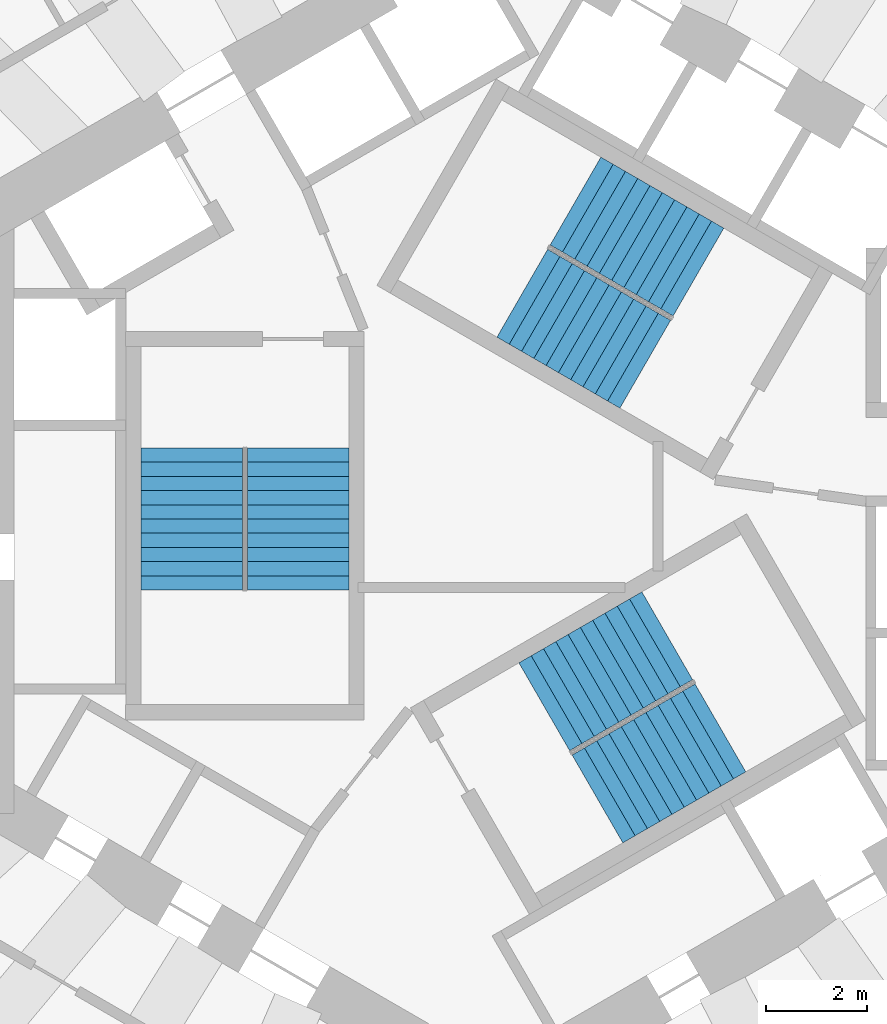
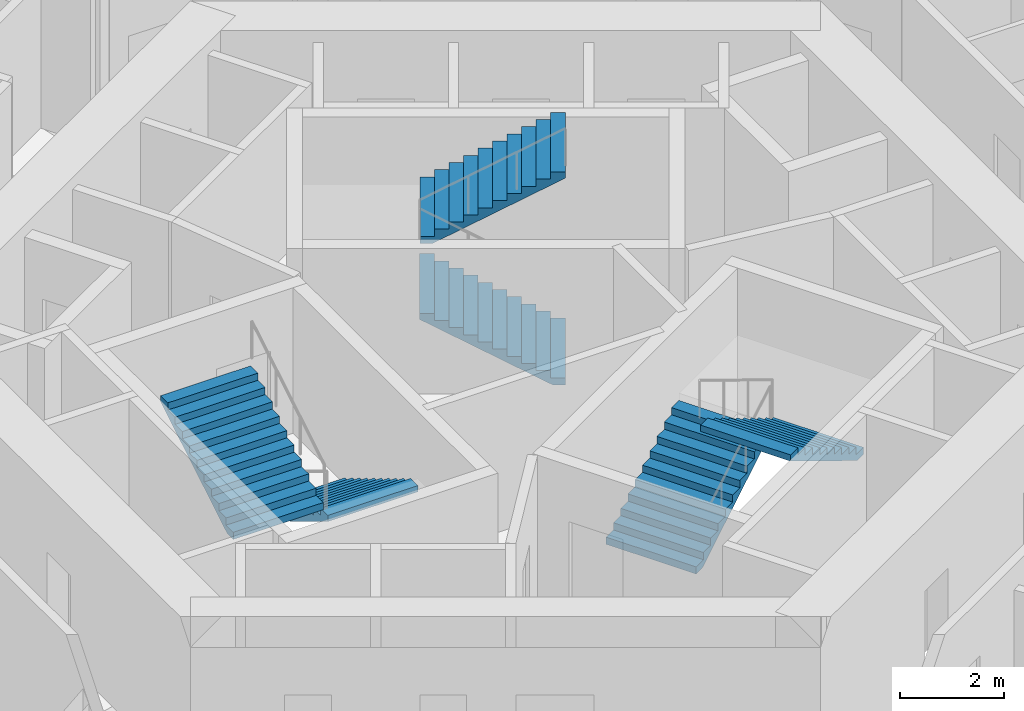
# One storey, part 10 of 12: 6 stair flights, 3 elements without a shape of their own.
"""IFC4 building model written with IfcOpenShell, lengths in metres."""

import ifcopenshell
import ifcopenshell.guid

model = None  # the IFC model being written
_history = None  # IfcOwnerHistory: only IFC2X3 demands one
_inside = {}  # id of a spatial element -> (the spatial element, [elements in it])
_under = {}  # id of a project, library or spatial element -> (it, [spatial elements below it])
_declared = {}  # id of a project -> (the project, [libraries it declares])
_typed = {}  # id of a type object -> (the type object, [elements of that type])
_made_of = {}  # id of a material, layer set ... -> (it, [elements and type objects made of it])


def new_model(schema):
    """Start an empty IFC model of exactly this schema.

    Asked for "IFC4X3", IfcOpenShell would pick the latest addendum, in which some entities
    have other attributes; the version numbers below select the first issue.
    IFC2X3 requires an IfcOwnerHistory on every rooted entity: one is made here for all.
    """
    global model, _history
    if schema == "IFC4X3":
        model = ifcopenshell.file(schema_version=(4, 3, 0, 0))
    else:
        model = ifcopenshell.file(schema=schema)
    _inside.clear()
    _under.clear()
    _declared.clear()
    _typed.clear()
    _made_of.clear()
    _history = None
    if model.schema == "IFC2X3":
        org = make("IfcOrganization", Name="unknown")
        user = make(
            "IfcPersonAndOrganization",
            ThePerson=make("IfcPerson", FamilyName="unknown"),
            TheOrganization=org,
        )
        app = make(
            "IfcApplication",
            ApplicationDeveloper=org,
            Version="unknown",
            ApplicationFullName="unknown",
            ApplicationIdentifier="unknown",
        )
        _history = make(
            "IfcOwnerHistory",
            OwningUser=user,
            OwningApplication=app,
            ChangeAction="ADDED",
            CreationDate=0,
        )
    return model


def make(cls, **values):
    """One entity of the class cls with the attributes given. An attribute that is None is left unset."""
    return model.create_entity(
        cls, **{name: value for name, value in values.items() if value is not None}
    )


def rooted(cls, **values):
    """An entity with a GlobalId (a new one), such as an element, a storey or a relation."""
    return make(cls, GlobalId=ifcopenshell.guid.new(), OwnerHistory=_history, **values)


def si_unit(unit_type, name, prefix=None):
    """IfcSIUnit, for example si_unit("LENGTHUNIT", "METRE", prefix="MILLI")."""
    return make("IfcSIUnit", UnitType=unit_type, Prefix=prefix, Name=name)


def assignment(units):
    """IfcUnitAssignment: the units of a project."""
    return None if units is None else make("IfcUnitAssignment", Units=units)


def point(xyz):
    """IfcCartesianPoint."""
    return None if xyz is None else make("IfcCartesianPoint", Coordinates=xyz)


def direction(xyz):
    """IfcDirection."""
    return None if xyz is None else make("IfcDirection", DirectionRatios=xyz)


def frame(location, z_axis=None, x_axis=None):
    """IfcAxis2Placement3D, a coordinate frame: its origin and axes. An axis left out is left unset."""
    return make(
        "IfcAxis2Placement3D",
        Location=point(location),
        Axis=direction(z_axis),
        RefDirection=direction(x_axis),
    )


def origin():
    """The frame at (0, 0, 0) with its axes left unset."""
    return frame((0.0, 0.0, 0.0))


def place(relative_to, where):
    """IfcLocalPlacement: puts the frame where relative to a parent placement (None: the world)."""
    return make(
        "IfcLocalPlacement", PlacementRelTo=relative_to, RelativePlacement=where
    )


def context(
    kind, dimensions, precision=None, world=None, true_north=None, identifier=None
):
    """IfcGeometricRepresentationContext, for example the 3D "Model" context."""
    return make(
        "IfcGeometricRepresentationContext",
        ContextIdentifier=identifier,
        ContextType=kind,
        CoordinateSpaceDimension=dimensions,
        Precision=precision,
        WorldCoordinateSystem=world,
        TrueNorth=true_north,
    )


def subcontext(parent, identifier, kind, view, scale=None):
    """IfcGeometricRepresentationSubContext, for example "Body" below "Model"."""
    return make(
        "IfcGeometricRepresentationSubContext",
        ContextIdentifier=identifier,
        ContextType=kind,
        ParentContext=parent,
        TargetScale=scale,
        TargetView=view,
    )


def project(units=None, contexts=None):
    """IfcProject with its units and contexts."""
    return rooted(
        "IfcProject",
        Name="project",
        RepresentationContexts=contexts,
        UnitsInContext=assignment(units),
    )


def spatial(cls, under=None, at=None, **own):
    """A site, building, storey or space (cls), placed at a placement, below another one or the project."""
    s = rooted(cls, ObjectPlacement=at, **own)
    if under is not None:
        _under.setdefault(under.id(), (under, []))[1].append(s)
    return s


def point_list(points):
    """IfcCartesianPointList2D or 3D."""
    cls = (
        "IfcCartesianPointList2D" if len(points[0]) == 2 else "IfcCartesianPointList3D"
    )
    return make(cls, CoordList=points)


def triangles(points, corners, closed=None, point_numbers=None):
    """IfcTriangulatedFaceSet: each triangle names its three corners, points numbered from 1."""
    return make(
        "IfcTriangulatedFaceSet",
        Coordinates=point_list(points),
        Closed=closed,
        CoordIndex=corners,
        PnIndex=point_numbers,
    )


def shape(context_of_items, identifier, shape_type, items):
    """IfcShapeRepresentation: the items that make up one representation, for example the "Body"."""
    return make(
        "IfcShapeRepresentation",
        ContextOfItems=context_of_items,
        RepresentationIdentifier=identifier,
        RepresentationType=shape_type,
        Items=items,
    )


def source(mapping_origin, context_of_items, identifier, shape_type, items):
    """IfcRepresentationMap: a shape defined once, which mapped items show again and again."""
    return make(
        "IfcRepresentationMap",
        MappingOrigin=mapping_origin,
        MappedRepresentation=shape(context_of_items, identifier, shape_type, items),
    )


def transform(
    local_origin,
    x_axis=None,
    y_axis=None,
    z_axis=None,
    scale=None,
    scale2=None,
    scale3=None,
    uniform=True,
):
    """IfcCartesianTransformationOperator3D, or its non-uniform kind. x_axis, y_axis, z_axis: its Axis1, 2, 3."""
    if uniform:
        return make(
            "IfcCartesianTransformationOperator3D",
            Axis1=direction(x_axis),
            Axis2=direction(y_axis),
            LocalOrigin=point(local_origin),
            Scale=scale,
            Axis3=direction(z_axis),
        )
    return make(
        "IfcCartesianTransformationOperator3DnonUniform",
        Axis1=direction(x_axis),
        Axis2=direction(y_axis),
        LocalOrigin=point(local_origin),
        Scale=scale,
        Axis3=direction(z_axis),
        Scale2=scale2,
        Scale3=scale3,
    )


def mapped(mapping_source, mapping_target):
    """IfcMappedItem: shows the shape of a source again, moved by a transform."""
    return make(
        "IfcMappedItem", MappingSource=mapping_source, MappingTarget=mapping_target
    )


def material(Name=None, Category=None):
    """IfcMaterial."""
    return make("IfcMaterial", Name=Name, Category=Category)


def made_of(thing, what):
    """Note that an element or type object is made of a material, layer set ...; save() writes the relation."""
    if what is not None:
        _made_of.setdefault(what.id(), (what, []))[1].append(thing)
    return thing


def type_object(cls, material=None, **own):
    """A type object (cls), such as IfcWallType, which elements share."""
    return made_of(rooted(cls, **own), material)


def element(
    cls,
    number,
    at=None,
    inside=None,
    cuts=None,
    type_object=None,
    material=None,
    context=None,
    identifier="Body",
    shape_type=None,
    held_by="IfcProductDefinitionShape",
    body=None,
    shapes=None,
    **own,
):
    """One element of the class cls, such as IfcWall. Its Tag is "e" and its number.

    at: its placement. inside: the storey or other place that contains it. cuts: it is an
    opening in that element (IfcRelVoidsElement). A single representation is given by context,
    identifier, shape_type and body (its items); several are given by shapes. held_by: the class
    of the entity that holds the representations. save() writes the other relations.
    """
    e = rooted(cls, Tag="e%d" % number, ObjectPlacement=at, **own)
    if body is not None:
        shapes = [shape(context, identifier, shape_type, body)]
    if shapes is not None:
        e.Representation = make(held_by, Representations=shapes)
    if inside is not None:
        _inside.setdefault(inside.id(), (inside, []))[1].append(e)
    if cuts is not None:
        rooted(
            "IfcRelVoidsElement", RelatingBuildingElement=cuts, RelatedOpeningElement=e
        )
    if type_object is not None:
        _typed.setdefault(type_object.id(), (type_object, []))[1].append(e)
    return made_of(e, material)


def aggregate(whole, parts):
    """IfcRelAggregates: a whole, such as a stair, and the parts it consists of."""
    return rooted("IfcRelAggregates", RelatingObject=whole, RelatedObjects=parts)


def save(model, path):
    """Write the relations noted so far, then the file.

    IfcRelAggregates (storeys below a building ...), IfcRelContainedInSpatialStructure (elements
    in a storey), IfcRelDefinesByType, IfcRelAssociatesMaterial and IfcRelDeclares: one each for
    every whole, place, type object, material and project.
    """
    for whole, parts in _under.values():
        aggregate(whole, parts)
    for where, things in _inside.values():
        rooted(
            "IfcRelContainedInSpatialStructure",
            RelatedElements=things,
            RelatingStructure=where,
        )
    for kind, things in _typed.values():
        rooted("IfcRelDefinesByType", RelatedObjects=things, RelatingType=kind)
    for what, things in _made_of.values():
        rooted("IfcRelAssociatesMaterial", RelatedObjects=things, RelatingMaterial=what)
    for by, libraries in _declared.values():
        rooted("IfcRelDeclares", RelatingContext=by, RelatedDefinitions=libraries)
    model.write(path)


model = new_model("IFC4")

# Units and contexts
model_context = context("Model", 3, precision=1e-05, world=origin(), true_north=direction((0.0, 1.0)))
body_context = subcontext(model_context, "Body", "Model", "MODEL_VIEW")
ifc_project = project(units=[si_unit("LENGTHUNIT", "METRE"), si_unit("AREAUNIT", "SQUARE_METRE"), si_unit("VOLUMEUNIT", "CUBIC_METRE"), si_unit("PLANEANGLEUNIT", "RADIAN"), si_unit("MASSUNIT", "GRAM", prefix="KILO")], contexts=[model_context])

# Site, building, storey
site_placement = place(None, origin())
site = spatial("IfcSite", under=ifc_project, at=site_placement, CompositionType="ELEMENT")
building_placement = place(site_placement, origin())
building = spatial("IfcBuilding", under=site, at=building_placement, Name="Vanh Sen Convention Tower", CompositionType="ELEMENT")
storey_placement = place(building_placement, frame((0.0, 0.0, 124.39990234375)))
storey = spatial("IfcBuildingStorey", under=building, at=storey_placement, Name="L30", CompositionType="ELEMENT", Elevation=124.39990234375)

# Stair, stair flights
ifc_material_1 = material(Name="Concrete C50/60", Category="concrete")
stair_type_1 = type_object("IfcStairType", Name="Exit stair ST1 22 risers at 168.2", PredefinedType="HALF_TURN_STAIR", material=ifc_material_1)
stair_1_placement = place(storey_placement, origin())
stair_1 = element("IfcStair", 1, at=stair_1_placement, inside=storey, type_object=stair_type_1, Name="Exit stair ST1 L30", PredefinedType="HALF_TURN_STAIR")
ifc_material_2 = material(Name="Concrete C40/50", Category="concrete")
stair_flight_type = type_object("IfcStairFlightType", Name="Stair flight 2000", PredefinedType="STRAIGHT", material=ifc_material_2)
shared_shape = source(origin(), body_context, "Body", "Tessellation", [
    triangles([(0.24267578125, 1.0, 0.0), (0.0, 1.0, 0.0), (0.0, 1.0, 0.168212890625), (0.280029296875, 1.0, 0.168212890625), (0.280029296875, 1.0, 0.33642578125), (0.56005859375, 1.0, 0.33642578125), (0.56005859375, 1.0, 0.504638671875), (0.840087890625, 1.0, 0.504638671875), (0.840087890625, 1.0, 0.672607421875), (1.1201171875, 1.0, 0.672607421875), (1.1201171875, 1.0, 0.8408203125), (1.39990234375, 1.0, 0.8408203125), (1.39990234375, 1.0, 1.009033203125), (1.679931640625, 1.0, 1.009033203125), (1.679931640625, 1.0, 1.17724609375), (1.9599609375, 1.0, 1.17724609375), (1.9599609375, 1.0, 1.345458984375), (2.239990234375, 1.0, 1.345458984375), (2.239990234375, 1.0, 1.513671875), (2.52001953125, 1.0, 1.513671875), (2.52001953125, 1.0, 1.681884765625), (2.800048828125, 1.0, 1.681884765625), (2.800048828125, 1.0, 1.535888671875), (0.24267578125, -1.0, 0.0), (0.0, -1.0, 0.0), (0.0, -1.0, 0.168212890625), (0.280029296875, -1.0, 0.168212890625), (0.280029296875, -1.0, 0.33642578125), (0.56005859375, -1.0, 0.33642578125), (0.56005859375, -1.0, 0.504638671875), (0.840087890625, -1.0, 0.504638671875), (0.840087890625, -1.0, 0.672607421875), (1.1201171875, -1.0, 0.672607421875), (1.1201171875, -1.0, 0.8408203125), (1.39990234375, -1.0, 0.8408203125), (1.39990234375, -1.0, 1.009033203125), (1.679931640625, -1.0, 1.009033203125), (1.679931640625, -1.0, 1.17724609375), (1.9599609375, -1.0, 1.17724609375), (1.9599609375, -1.0, 1.345458984375), (2.239990234375, -1.0, 1.345458984375), (2.239990234375, -1.0, 1.513671875), (2.52001953125, -1.0, 1.513671875), (2.52001953125, -1.0, 1.681884765625), (2.800048828125, -1.0, 1.681884765625), (2.800048828125, -1.0, 1.535888671875), (0.0, 0.0400390625, 0.0), (0.0, 0.0390625, 0.0), (0.0, 0.0380859375, 0.0), (0.0, 0.037109375, 0.0), (0.0, 0.035888671875, 0.0), (0.0, 0.034912109375, 0.0), (0.0, 0.033935546875, 0.0), (0.0, 0.032958984375, 0.0), (0.0, 0.031982421875, 0.0), (0.0, 0.031005859375, 0.0), (0.0, 0.030029296875, 0.0), (0.0, 0.029052734375, 0.0), (0.0, 0.028076171875, 0.0), (0.0, 0.027099609375, 0.0), (0.0, 0.02587890625, 0.0), (0.0, 0.02490234375, 0.0), (0.0, 0.02392578125, 0.0), (0.0, 0.02294921875, 0.0), (0.0, 0.02197265625, 0.0), (0.0, 0.02099609375, 0.0), (0.0, 0.02001953125, 0.0), (0.0, 0.01904296875, 0.0), (0.0, 0.01806640625, 0.0), (0.0, 0.01708984375, 0.0), (0.0, 0.01611328125, 0.0), (0.0, 0.014892578125, 0.0), (0.0, 0.013916015625, 0.0), (0.0, 0.012939453125, 0.0), (0.0, 0.011962890625, 0.0), (0.0, 0.010986328125, 0.0), (0.0, 0.010009765625, 0.0), (0.0, 0.009033203125, 0.0), (0.0, 0.008056640625, 0.0), (0.0, 0.007080078125, 0.0), (0.0, 0.006103515625, 0.0), (0.0, 0.0048828125, 0.0), (0.0, 0.00390625, 0.0), (0.0, 0.0029296875, 0.0), (0.0, 0.001953125, 0.0), (0.0, 0.0009765625, 0.0), (0.0, 0.0, 0.0), (0.0, -0.0009765625, 0.0), (0.0, -0.001953125, 0.0), (0.0, -0.0029296875, 0.0), (0.0, -0.00390625, 0.0), (0.0, -0.0048828125, 0.0), (0.0, -0.006103515625, 0.0), (0.0, -0.007080078125, 0.0), (0.0, -0.008056640625, 0.0), (0.0, -0.009033203125, 0.0), (0.0, -0.010009765625, 0.0), (0.0, -0.010986328125, 0.0), (0.0, -0.011962890625, 0.0), (0.0, -0.012939453125, 0.0), (0.0, -0.013916015625, 0.0), (0.0, -0.014892578125, 0.0), (0.0, -0.01611328125, 0.0), (0.0, -0.01708984375, 0.0), (0.0, -0.01806640625, 0.0), (0.0, -0.01904296875, 0.0), (0.0, -0.02001953125, 0.0), (0.0, -0.02099609375, 0.0), (0.0, -0.02197265625, 0.0), (0.0, -0.02294921875, 0.0), (0.0, -0.02392578125, 0.0), (0.0, -0.02490234375, 0.0), (0.0, -0.02587890625, 0.0), (0.0, -0.027099609375, 0.0), (0.0, -0.028076171875, 0.0), (0.0, -0.029052734375, 0.0), (0.0, -0.030029296875, 0.0), (0.0, -0.031005859375, 0.0), (0.0, -0.031982421875, 0.0), (0.0, -0.032958984375, 0.0), (0.0, -0.033935546875, 0.0), (0.0, -0.034912109375, 0.0), (0.0, -0.035888671875, 0.0), (0.0, -0.037109375, 0.0), (0.0, -0.0380859375, 0.0), (0.0, -0.0390625, 0.0), (0.0, -0.0400390625, 0.0), (0.0, 0.0400390625, 0.168212890625), (0.0, 0.0390625, 0.168212890625), (0.0, 0.0380859375, 0.168212890625), (0.0, 0.037109375, 0.168212890625), (0.0, 0.035888671875, 0.168212890625), (0.0, 0.034912109375, 0.168212890625), (0.0, 0.033935546875, 0.168212890625), (0.0, 0.032958984375, 0.168212890625), (0.0, 0.031982421875, 0.168212890625), (0.0, 0.031005859375, 0.168212890625), (0.0, 0.030029296875, 0.168212890625), (0.0, 0.029052734375, 0.168212890625), (0.0, 0.028076171875, 0.168212890625), (0.0, 0.027099609375, 0.168212890625), (0.0, 0.02587890625, 0.168212890625), (0.0, 0.02490234375, 0.168212890625), (0.0, 0.02392578125, 0.168212890625), (0.0, 0.02294921875, 0.168212890625), (0.0, 0.02197265625, 0.168212890625), (0.0, 0.02099609375, 0.168212890625), (0.0, 0.02001953125, 0.168212890625), (0.0, 0.01904296875, 0.168212890625), (0.0, 0.01806640625, 0.168212890625), (0.0, 0.01708984375, 0.168212890625), (0.0, 0.01611328125, 0.168212890625), (0.0, 0.014892578125, 0.168212890625), (0.0, 0.013916015625, 0.168212890625), (0.0, 0.012939453125, 0.168212890625), (0.0, 0.011962890625, 0.168212890625), (0.0, 0.010986328125, 0.168212890625), (0.0, 0.010009765625, 0.168212890625), (0.0, 0.009033203125, 0.168212890625), (0.0, 0.008056640625, 0.168212890625), (0.0, 0.007080078125, 0.168212890625), (0.0, 0.006103515625, 0.168212890625), (0.0, 0.0048828125, 0.168212890625), (0.0, 0.00390625, 0.168212890625), (0.0, 0.0029296875, 0.168212890625), (0.0, 0.001953125, 0.168212890625), (0.0, 0.0009765625, 0.168212890625), (0.0, 0.0, 0.168212890625), (0.0, -0.0009765625, 0.168212890625), (0.0, -0.001953125, 0.168212890625), (0.0, -0.0029296875, 0.168212890625), (0.0, -0.00390625, 0.168212890625), (0.0, -0.0048828125, 0.168212890625), (0.0, -0.006103515625, 0.168212890625), (0.0, -0.007080078125, 0.168212890625), (0.0, -0.008056640625, 0.168212890625), (0.0, -0.009033203125, 0.168212890625), (0.0, -0.010009765625, 0.168212890625), (0.0, -0.010986328125, 0.168212890625), (0.0, -0.011962890625, 0.168212890625), (0.0, -0.012939453125, 0.168212890625), (0.0, -0.013916015625, 0.168212890625), (0.0, -0.014892578125, 0.168212890625), (0.0, -0.01611328125, 0.168212890625), (0.0, -0.01708984375, 0.168212890625), (0.0, -0.01806640625, 0.168212890625), (0.0, -0.01904296875, 0.168212890625), (0.0, -0.02001953125, 0.168212890625), (0.0, -0.02099609375, 0.168212890625), (0.0, -0.02197265625, 0.168212890625), (0.0, -0.02294921875, 0.168212890625), (0.0, -0.02392578125, 0.168212890625), (0.0, -0.02490234375, 0.168212890625), (0.0, -0.02587890625, 0.168212890625), (0.0, -0.027099609375, 0.168212890625), (0.0, -0.028076171875, 0.168212890625), (0.0, -0.029052734375, 0.168212890625), (0.0, -0.030029296875, 0.168212890625), (0.0, -0.031005859375, 0.168212890625), (0.0, -0.031982421875, 0.168212890625), (0.0, -0.032958984375, 0.168212890625), (0.0, -0.033935546875, 0.168212890625), (0.0, -0.034912109375, 0.168212890625), (0.0, -0.035888671875, 0.168212890625), (0.0, -0.037109375, 0.168212890625), (0.0, -0.0380859375, 0.168212890625), (0.0, -0.0390625, 0.168212890625), (0.0, -0.0400390625, 0.168212890625), (0.280029296875, 0.0, 0.168212890625), (0.280029296875, 0.0, 0.33642578125), (0.56005859375, 0.0, 0.33642578125), (0.56005859375, 0.0, 0.504638671875), (0.840087890625, 0.0, 0.504638671875), (0.840087890625, 0.0, 0.672607421875), (1.1201171875, 0.0, 0.672607421875), (1.1201171875, 0.0, 0.8408203125), (1.39990234375, 0.0, 0.8408203125), (1.39990234375, 0.0, 1.009033203125), (1.679931640625, 0.0, 1.009033203125), (1.679931640625, 0.0, 1.17724609375), (1.9599609375, 0.0, 1.17724609375), (1.9599609375, 0.0, 1.345458984375), (2.239990234375, 0.0, 1.345458984375), (2.239990234375, 0.0, 1.513671875), (2.52001953125, 0.0, 1.513671875), (2.52001953125, 0.0, 1.681884765625), (2.800048828125, 0.0400390625, 1.681884765625), (2.800048828125, 0.0390625, 1.681884765625), (2.800048828125, 0.0380859375, 1.681884765625), (2.800048828125, 0.037109375, 1.681884765625), (2.800048828125, 0.035888671875, 1.681884765625), (2.800048828125, 0.034912109375, 1.681884765625), (2.800048828125, 0.033935546875, 1.681884765625), (2.800048828125, 0.032958984375, 1.681884765625), (2.800048828125, 0.031982421875, 1.681884765625), (2.800048828125, 0.031005859375, 1.681884765625), (2.800048828125, 0.030029296875, 1.681884765625), (2.800048828125, 0.029052734375, 1.681884765625), (2.800048828125, 0.028076171875, 1.681884765625), (2.800048828125, 0.027099609375, 1.681884765625), (2.800048828125, 0.02587890625, 1.681884765625), (2.800048828125, 0.02490234375, 1.681884765625), (2.800048828125, 0.02392578125, 1.681884765625), (2.800048828125, 0.02294921875, 1.681884765625), (2.800048828125, 0.02197265625, 1.681884765625), (2.800048828125, 0.02099609375, 1.681884765625), (2.800048828125, 0.02001953125, 1.681884765625), (2.800048828125, 0.01904296875, 1.681884765625), (2.800048828125, 0.01806640625, 1.681884765625), (2.800048828125, 0.01708984375, 1.681884765625), (2.800048828125, 0.01611328125, 1.681884765625), (2.800048828125, 0.014892578125, 1.681884765625), (2.800048828125, 0.013916015625, 1.681884765625), (2.800048828125, 0.012939453125, 1.681884765625), (2.800048828125, 0.011962890625, 1.681884765625), (2.800048828125, 0.010986328125, 1.681884765625), (2.800048828125, 0.010009765625, 1.681884765625), (2.800048828125, 0.009033203125, 1.681884765625), (2.800048828125, 0.008056640625, 1.681884765625), (2.800048828125, 0.007080078125, 1.681884765625), (2.800048828125, 0.006103515625, 1.681884765625), (2.800048828125, 0.0048828125, 1.681884765625), (2.800048828125, 0.00390625, 1.681884765625), (2.800048828125, 0.0029296875, 1.681884765625), (2.800048828125, 0.001953125, 1.681884765625), (2.800048828125, 0.0009765625, 1.681884765625), (2.800048828125, 0.0, 1.681884765625), (2.800048828125, -0.0009765625, 1.681884765625), (2.800048828125, -0.001953125, 1.681884765625), (2.800048828125, -0.0029296875, 1.681884765625), (2.800048828125, -0.00390625, 1.681884765625), (2.800048828125, -0.0048828125, 1.681884765625), (2.800048828125, -0.006103515625, 1.681884765625), (2.800048828125, -0.007080078125, 1.681884765625), (2.800048828125, -0.008056640625, 1.681884765625), (2.800048828125, -0.009033203125, 1.681884765625), (2.800048828125, -0.010009765625, 1.681884765625), (2.800048828125, -0.010986328125, 1.681884765625), (2.800048828125, -0.011962890625, 1.681884765625), (2.800048828125, -0.012939453125, 1.681884765625), (2.800048828125, -0.013916015625, 1.681884765625), (2.800048828125, -0.014892578125, 1.681884765625), (2.800048828125, -0.01611328125, 1.681884765625), (2.800048828125, -0.01708984375, 1.681884765625), (2.800048828125, -0.01806640625, 1.681884765625), (2.800048828125, -0.01904296875, 1.681884765625), (2.800048828125, -0.02001953125, 1.681884765625), (2.800048828125, -0.02099609375, 1.681884765625), (2.800048828125, -0.02197265625, 1.681884765625), (2.800048828125, -0.02294921875, 1.681884765625), (2.800048828125, -0.02392578125, 1.681884765625), (2.800048828125, -0.02490234375, 1.681884765625), (2.800048828125, -0.02587890625, 1.681884765625), (2.800048828125, -0.027099609375, 1.681884765625), (2.800048828125, -0.028076171875, 1.681884765625), (2.800048828125, -0.029052734375, 1.681884765625), (2.800048828125, -0.030029296875, 1.681884765625), (2.800048828125, -0.031005859375, 1.681884765625), (2.800048828125, -0.031982421875, 1.681884765625), (2.800048828125, -0.032958984375, 1.681884765625), (2.800048828125, -0.033935546875, 1.681884765625), (2.800048828125, -0.034912109375, 1.681884765625), (2.800048828125, -0.035888671875, 1.681884765625), (2.800048828125, -0.037109375, 1.681884765625), (2.800048828125, -0.0380859375, 1.681884765625), (2.800048828125, -0.0390625, 1.681884765625), (2.800048828125, -0.0400390625, 1.681884765625), (2.800048828125, 0.0400390625, 1.535888671875), (2.800048828125, 0.0390625, 1.535888671875), (2.800048828125, 0.0380859375, 1.535888671875), (2.800048828125, 0.037109375, 1.535888671875), (2.800048828125, 0.035888671875, 1.535888671875), (2.800048828125, 0.034912109375, 1.535888671875), (2.800048828125, 0.033935546875, 1.535888671875), (2.800048828125, 0.032958984375, 1.535888671875), (2.800048828125, 0.031982421875, 1.535888671875), (2.800048828125, 0.031005859375, 1.535888671875), (2.800048828125, 0.030029296875, 1.535888671875), (2.800048828125, 0.029052734375, 1.535888671875), (2.800048828125, 0.028076171875, 1.535888671875), (2.800048828125, 0.027099609375, 1.535888671875), (2.800048828125, 0.02587890625, 1.535888671875), (2.800048828125, 0.02490234375, 1.535888671875), (2.800048828125, 0.02392578125, 1.535888671875), (2.800048828125, 0.02294921875, 1.535888671875), (2.800048828125, 0.02197265625, 1.535888671875), (2.800048828125, 0.02099609375, 1.535888671875), (2.800048828125, 0.02001953125, 1.535888671875), (2.800048828125, 0.01904296875, 1.535888671875), (2.800048828125, 0.01806640625, 1.535888671875), (2.800048828125, 0.01708984375, 1.535888671875), (2.800048828125, 0.01611328125, 1.535888671875), (2.800048828125, 0.014892578125, 1.535888671875), (2.800048828125, 0.013916015625, 1.535888671875), (2.800048828125, 0.012939453125, 1.535888671875), (2.800048828125, 0.011962890625, 1.535888671875), (2.800048828125, 0.010986328125, 1.535888671875), (2.800048828125, 0.010009765625, 1.535888671875), (2.800048828125, 0.009033203125, 1.535888671875), (2.800048828125, 0.008056640625, 1.535888671875), (2.800048828125, 0.007080078125, 1.535888671875), (2.800048828125, 0.006103515625, 1.535888671875), (2.800048828125, 0.0048828125, 1.535888671875), (2.800048828125, 0.00390625, 1.535888671875), (2.800048828125, 0.0029296875, 1.535888671875), (2.800048828125, 0.001953125, 1.535888671875), (2.800048828125, 0.0009765625, 1.535888671875), (2.800048828125, 0.0, 1.535888671875), (2.800048828125, -0.0009765625, 1.535888671875), (2.800048828125, -0.001953125, 1.535888671875), (2.800048828125, -0.0029296875, 1.535888671875), (2.800048828125, -0.00390625, 1.535888671875), (2.800048828125, -0.0048828125, 1.535888671875), (2.800048828125, -0.006103515625, 1.535888671875), (2.800048828125, -0.007080078125, 1.535888671875), (2.800048828125, -0.008056640625, 1.535888671875), (2.800048828125, -0.009033203125, 1.535888671875), (2.800048828125, -0.010009765625, 1.535888671875), (2.800048828125, -0.010986328125, 1.535888671875), (2.800048828125, -0.011962890625, 1.535888671875), (2.800048828125, -0.012939453125, 1.535888671875), (2.800048828125, -0.013916015625, 1.535888671875), (2.800048828125, -0.014892578125, 1.535888671875), (2.800048828125, -0.01611328125, 1.535888671875), (2.800048828125, -0.01708984375, 1.535888671875), (2.800048828125, -0.01806640625, 1.535888671875), (2.800048828125, -0.01904296875, 1.535888671875), (2.800048828125, -0.02001953125, 1.535888671875), (2.800048828125, -0.02099609375, 1.535888671875), (2.800048828125, -0.02197265625, 1.535888671875), (2.800048828125, -0.02294921875, 1.535888671875), (2.800048828125, -0.02392578125, 1.535888671875), (2.800048828125, -0.02490234375, 1.535888671875), (2.800048828125, -0.02587890625, 1.535888671875), (2.800048828125, -0.027099609375, 1.535888671875), (2.800048828125, -0.028076171875, 1.535888671875), (2.800048828125, -0.029052734375, 1.535888671875), (2.800048828125, -0.030029296875, 1.535888671875), (2.800048828125, -0.031005859375, 1.535888671875), (2.800048828125, -0.031982421875, 1.535888671875), (2.800048828125, -0.032958984375, 1.535888671875), (2.800048828125, -0.033935546875, 1.535888671875), (2.800048828125, -0.034912109375, 1.535888671875), (2.800048828125, -0.035888671875, 1.535888671875), (2.800048828125, -0.037109375, 1.535888671875), (2.800048828125, -0.0380859375, 1.535888671875), (2.800048828125, -0.0390625, 1.535888671875), (2.800048828125, -0.0400390625, 1.535888671875), (0.24267578125, 0.0, 0.0)], [[1, 2, 3], [1, 3, 4], [4, 5, 6], [1, 4, 6], [6, 7, 8], [1, 6, 8], [8, 9, 10], [1, 8, 10], [10, 11, 12], [1, 10, 12], [12, 13, 14], [1, 12, 14], [14, 15, 16], [1, 14, 16], [16, 17, 18], [1, 16, 18], [18, 19, 20], [1, 18, 20], [20, 21, 22], [1, 20, 22], [22, 23, 1], [24, 26, 25], [24, 27, 26], [27, 29, 28], [24, 29, 27], [29, 31, 30], [24, 31, 29], [31, 33, 32], [24, 33, 31], [33, 35, 34], [24, 35, 33], [35, 37, 36], [24, 37, 35], [37, 39, 38], [24, 39, 37], [39, 41, 40], [24, 41, 39], [41, 43, 42], [24, 43, 41], [43, 45, 44], [24, 45, 43], [45, 24, 46], [2, 128, 3], [2, 47, 128], [47, 129, 128], [47, 48, 129], [48, 130, 129], [48, 49, 130], [49, 131, 130], [49, 50, 131], [50, 132, 131], [50, 51, 132], [51, 133, 132], [51, 52, 133], [52, 134, 133], [52, 53, 134], [53, 135, 134], [53, 54, 135], [54, 136, 135], [54, 55, 136], [55, 137, 136], [55, 56, 137], [56, 138, 137], [56, 57, 138], [57, 139, 138], [57, 58, 139], [58, 140, 139], [58, 59, 140], [59, 141, 140], [59, 60, 141], [60, 142, 141], [60, 61, 142], [61, 143, 142], [61, 62, 143], [62, 144, 143], [62, 63, 144], [63, 145, 144], [63, 64, 145], [64, 146, 145], [64, 65, 146], [65, 147, 146], [65, 66, 147], [66, 148, 147], [66, 67, 148], [67, 149, 148], [67, 68, 149], [68, 150, 149], [68, 69, 150], [69, 151, 150], [69, 70, 151], [70, 152, 151], [70, 71, 152], [71, 153, 152], [71, 72, 153], [72, 154, 153], [72, 73, 154], [73, 155, 154], [73, 74, 155], [74, 156, 155], [74, 75, 156], [75, 157, 156], [75, 76, 157], [76, 158, 157], [76, 77, 158], [77, 159, 158], [77, 78, 159], [78, 160, 159], [78, 79, 160], [79, 161, 160], [79, 80, 161], [80, 162, 161], [80, 81, 162], [81, 163, 162], [81, 82, 163], [82, 164, 163], [82, 83, 164], [83, 165, 164], [83, 84, 165], [84, 166, 165], [84, 85, 166], [85, 167, 166], [85, 86, 167], [86, 168, 167], [86, 87, 168], [87, 88, 168], [168, 88, 169], [88, 89, 169], [169, 89, 170], [89, 90, 170], [170, 90, 171], [90, 91, 171], [171, 91, 172], [91, 92, 172], [172, 92, 173], [92, 93, 173], [173, 93, 174], [93, 94, 174], [174, 94, 175], [94, 95, 175], [175, 95, 176], [95, 96, 176], [176, 96, 177], [96, 97, 177], [177, 97, 178], [97, 98, 178], [178, 98, 179], [98, 99, 179], [179, 99, 180], [99, 100, 180], [180, 100, 181], [100, 101, 181], [181, 101, 182], [101, 102, 182], [182, 102, 183], [102, 103, 183], [183, 103, 184], [103, 104, 184], [184, 104, 185], [104, 105, 185], [185, 105, 186], [105, 106, 186], [186, 106, 187], [106, 107, 187], [187, 107, 188], [107, 108, 188], [188, 108, 189], [108, 109, 189], [189, 109, 190], [109, 110, 190], [190, 110, 191], [110, 111, 191], [191, 111, 192], [111, 112, 192], [192, 112, 193], [112, 113, 193], [193, 113, 194], [113, 114, 194], [194, 114, 195], [114, 115, 195], [195, 115, 196], [115, 116, 196], [196, 116, 197], [116, 117, 197], [197, 117, 198], [117, 118, 198], [198, 118, 199], [118, 119, 199], [199, 119, 200], [119, 120, 200], [200, 120, 201], [120, 121, 201], [201, 121, 202], [121, 122, 202], [202, 122, 203], [122, 123, 203], [203, 123, 204], [123, 124, 204], [204, 124, 205], [124, 125, 205], [205, 125, 206], [125, 126, 206], [206, 126, 207], [126, 127, 207], [207, 127, 208], [127, 25, 208], [208, 25, 26], [4, 3, 128], [4, 128, 129], [4, 129, 130], [4, 130, 131], [4, 131, 132], [4, 132, 133], [4, 133, 134], [4, 134, 135], [4, 135, 136], [4, 136, 137], [4, 137, 138], [4, 138, 139], [4, 139, 140], [4, 140, 141], [4, 141, 142], [4, 142, 143], [4, 143, 144], [4, 144, 145], [4, 145, 146], [4, 146, 147], [4, 147, 148], [4, 148, 149], [4, 149, 150], [4, 150, 151], [4, 151, 152], [4, 152, 153], [4, 153, 154], [4, 154, 155], [4, 155, 156], [4, 156, 157], [4, 157, 158], [4, 158, 159], [4, 159, 160], [4, 160, 161], [4, 161, 162], [4, 162, 163], [4, 163, 164], [4, 164, 165], [4, 165, 166], [4, 166, 167], [4, 167, 168], [27, 168, 169], [27, 169, 170], [27, 170, 171], [27, 171, 172], [27, 172, 173], [27, 173, 174], [27, 174, 175], [27, 175, 176], [27, 176, 177], [27, 177, 178], [27, 178, 179], [27, 179, 180], [27, 180, 181], [27, 181, 182], [27, 182, 183], [27, 183, 184], [27, 184, 185], [27, 185, 186], [27, 186, 187], [27, 187, 188], [27, 188, 189], [27, 189, 190], [27, 190, 191], [27, 191, 192], [27, 192, 193], [27, 193, 194], [27, 194, 195], [27, 195, 196], [27, 196, 197], [27, 197, 198], [27, 198, 199], [27, 199, 200], [27, 200, 201], [27, 201, 202], [27, 202, 203], [27, 203, 204], [27, 204, 205], [27, 205, 206], [27, 206, 207], [27, 207, 208], [27, 208, 26], [4, 168, 209], [27, 209, 168], [4, 210, 5], [4, 209, 210], [209, 27, 210], [210, 27, 28], [5, 211, 6], [5, 210, 211], [210, 28, 211], [211, 28, 29], [6, 212, 7], [6, 211, 212], [211, 29, 212], [212, 29, 30], [7, 213, 8], [7, 212, 213], [212, 30, 213], [213, 30, 31], [8, 214, 9], [8, 213, 214], [213, 31, 214], [214, 31, 32], [9, 215, 10], [9, 214, 215], [214, 32, 215], [215, 32, 33], [10, 216, 11], [10, 215, 216], [215, 33, 216], [216, 33, 34], [11, 217, 12], [11, 216, 217], [216, 34, 217], [217, 34, 35], [12, 218, 13], [12, 217, 218], [217, 35, 218], [218, 35, 36], [13, 219, 14], [13, 218, 219], [218, 36, 219], [219, 36, 37], [14, 220, 15], [14, 219, 220], [219, 37, 220], [220, 37, 38], [15, 221, 16], [15, 220, 221], [220, 38, 221], [221, 38, 39], [16, 222, 17], [16, 221, 222], [221, 39, 222], [222, 39, 40], [17, 223, 18], [17, 222, 223], [222, 40, 223], [223, 40, 41], [18, 224, 19], [18, 223, 224], [223, 41, 224], [224, 41, 42], [19, 225, 20], [19, 224, 225], [224, 42, 225], [225, 42, 43], [20, 226, 21], [20, 225, 226], [225, 43, 226], [226, 43, 44], [21, 227, 22], [21, 228, 227], [21, 229, 228], [21, 230, 229], [21, 231, 230], [21, 232, 231], [21, 233, 232], [21, 234, 233], [21, 235, 234], [21, 236, 235], [21, 237, 236], [21, 238, 237], [21, 239, 238], [21, 240, 239], [21, 241, 240], [21, 242, 241], [21, 243, 242], [21, 244, 243], [21, 245, 244], [21, 246, 245], [21, 247, 246], [21, 248, 247], [21, 249, 248], [21, 250, 249], [21, 251, 250], [21, 252, 251], [21, 253, 252], [21, 254, 253], [21, 255, 254], [21, 256, 255], [21, 257, 256], [21, 258, 257], [21, 259, 258], [21, 260, 259], [21, 261, 260], [21, 262, 261], [21, 263, 262], [21, 264, 263], [21, 265, 264], [21, 266, 265], [21, 267, 266], [44, 268, 267], [44, 269, 268], [44, 270, 269], [44, 271, 270], [44, 272, 271], [44, 273, 272], [44, 274, 273], [44, 275, 274], [44, 276, 275], [44, 277, 276], [44, 278, 277], [44, 279, 278], [44, 280, 279], [44, 281, 280], [44, 282, 281], [44, 283, 282], [44, 284, 283], [44, 285, 284], [44, 286, 285], [44, 287, 286], [44, 288, 287], [44, 289, 288], [44, 290, 289], [44, 291, 290], [44, 292, 291], [44, 293, 292], [44, 294, 293], [44, 295, 294], [44, 296, 295], [44, 297, 296], [44, 298, 297], [44, 299, 298], [44, 300, 299], [44, 301, 300], [44, 302, 301], [44, 303, 302], [44, 304, 303], [44, 305, 304], [44, 306, 305], [44, 307, 306], [44, 45, 307], [21, 226, 267], [44, 267, 226], [22, 308, 23], [22, 227, 308], [227, 309, 308], [227, 228, 309], [228, 310, 309], [228, 229, 310], [229, 311, 310], [229, 230, 311], [230, 312, 311], [230, 231, 312], [231, 313, 312], [231, 232, 313], [232, 314, 313], [232, 233, 314], [233, 315, 314], [233, 234, 315], [234, 316, 315], [234, 235, 316], [235, 317, 316], [235, 236, 317], [236, 318, 317], [236, 237, 318], [237, 319, 318], [237, 238, 319], [238, 320, 319], [238, 239, 320], [239, 321, 320], [239, 240, 321], [240, 322, 321], [240, 241, 322], [241, 323, 322], [241, 242, 323], [242, 324, 323], [242, 243, 324], [243, 325, 324], [243, 244, 325], [244, 326, 325], [244, 245, 326], [245, 327, 326], [245, 246, 327], [246, 328, 327], [246, 247, 328], [247, 329, 328], [247, 248, 329], [248, 330, 329], [248, 249, 330], [249, 331, 330], [249, 250, 331], [250, 332, 331], [250, 251, 332], [251, 333, 332], [251, 252, 333], [252, 334, 333], [252, 253, 334], [253, 335, 334], [253, 254, 335], [254, 336, 335], [254, 255, 336], [255, 337, 336], [255, 256, 337], [256, 338, 337], [256, 257, 338], [257, 339, 338], [257, 258, 339], [258, 340, 339], [258, 259, 340], [259, 341, 340], [259, 260, 341], [260, 342, 341], [260, 261, 342], [261, 343, 342], [261, 262, 343], [262, 344, 343], [262, 263, 344], [263, 345, 344], [263, 264, 345], [264, 346, 345], [264, 265, 346], [265, 347, 346], [265, 266, 347], [266, 348, 347], [266, 267, 348], [267, 268, 348], [348, 268, 349], [268, 269, 349], [349, 269, 350], [269, 270, 350], [350, 270, 351], [270, 271, 351], [351, 271, 352], [271, 272, 352], [352, 272, 353], [272, 273, 353], [353, 273, 354], [273, 274, 354], [354, 274, 355], [274, 275, 355], [355, 275, 356], [275, 276, 356], [356, 276, 357], [276, 277, 357], [357, 277, 358], [277, 278, 358], [358, 278, 359], [278, 279, 359], [359, 279, 360], [279, 280, 360], [360, 280, 361], [280, 281, 361], [361, 281, 362], [281, 282, 362], [362, 282, 363], [282, 283, 363], [363, 283, 364], [283, 284, 364], [364, 284, 365], [284, 285, 365], [365, 285, 366], [285, 286, 366], [366, 286, 367], [286, 287, 367], [367, 287, 368], [287, 288, 368], [368, 288, 369], [288, 289, 369], [369, 289, 370], [289, 290, 370], [370, 290, 371], [290, 291, 371], [371, 291, 372], [291, 292, 372], [372, 292, 373], [292, 293, 373], [373, 293, 374], [293, 294, 374], [374, 294, 375], [294, 295, 375], [375, 295, 376], [295, 296, 376], [376, 296, 377], [296, 297, 377], [377, 297, 378], [297, 298, 378], [378, 298, 379], [298, 299, 379], [379, 299, 380], [299, 300, 380], [380, 300, 381], [300, 301, 381], [381, 301, 382], [301, 302, 382], [382, 302, 383], [302, 303, 383], [383, 303, 384], [303, 304, 384], [384, 304, 385], [304, 305, 385], [385, 305, 386], [305, 306, 386], [386, 306, 387], [306, 307, 387], [387, 307, 388], [307, 45, 388], [388, 45, 46], [1, 23, 308], [1, 308, 309], [1, 309, 310], [1, 310, 311], [1, 311, 312], [1, 312, 313], [1, 313, 314], [1, 314, 315], [1, 315, 316], [1, 316, 317], [1, 317, 318], [1, 318, 319], [1, 319, 320], [1, 320, 321], [1, 321, 322], [1, 322, 323], [1, 323, 324], [1, 324, 325], [1, 325, 326], [1, 326, 327], [1, 327, 328], [1, 328, 329], [1, 329, 330], [1, 330, 331], [1, 331, 332], [1, 332, 333], [1, 333, 334], [1, 334, 335], [1, 335, 336], [1, 336, 337], [1, 337, 338], [1, 338, 339], [1, 339, 340], [1, 340, 341], [1, 341, 342], [1, 342, 343], [1, 343, 344], [1, 344, 345], [1, 345, 346], [1, 346, 347], [1, 347, 348], [24, 348, 349], [24, 349, 350], [24, 350, 351], [24, 351, 352], [24, 352, 353], [24, 353, 354], [24, 354, 355], [24, 355, 356], [24, 356, 357], [24, 357, 358], [24, 358, 359], [24, 359, 360], [24, 360, 361], [24, 361, 362], [24, 362, 363], [24, 363, 364], [24, 364, 365], [24, 365, 366], [24, 366, 367], [24, 367, 368], [24, 368, 369], [24, 369, 370], [24, 370, 371], [24, 371, 372], [24, 372, 373], [24, 373, 374], [24, 374, 375], [24, 375, 376], [24, 376, 377], [24, 377, 378], [24, 378, 379], [24, 379, 380], [24, 380, 381], [24, 381, 382], [24, 382, 383], [24, 383, 384], [24, 384, 385], [24, 385, 386], [24, 386, 387], [24, 387, 388], [24, 388, 46], [1, 348, 389], [24, 389, 348], [1, 47, 2], [1, 48, 47], [1, 49, 48], [1, 50, 49], [1, 51, 50], [1, 52, 51], [1, 53, 52], [1, 54, 53], [1, 55, 54], [1, 56, 55], [1, 57, 56], [1, 58, 57], [1, 59, 58], [1, 60, 59], [1, 61, 60], [1, 62, 61], [1, 63, 62], [1, 64, 63], [1, 65, 64], [1, 66, 65], [1, 67, 66], [1, 68, 67], [1, 69, 68], [1, 70, 69], [1, 71, 70], [1, 72, 71], [1, 73, 72], [1, 74, 73], [1, 75, 74], [1, 76, 75], [1, 77, 76], [1, 78, 77], [1, 79, 78], [1, 80, 79], [1, 81, 80], [1, 82, 81], [1, 83, 82], [1, 84, 83], [1, 85, 84], [1, 86, 85], [1, 87, 86], [24, 88, 87], [24, 89, 88], [24, 90, 89], [24, 91, 90], [24, 92, 91], [24, 93, 92], [24, 94, 93], [24, 95, 94], [24, 96, 95], [24, 97, 96], [24, 98, 97], [24, 99, 98], [24, 100, 99], [24, 101, 100], [24, 102, 101], [24, 103, 102], [24, 104, 103], [24, 105, 104], [24, 106, 105], [24, 107, 106], [24, 108, 107], [24, 109, 108], [24, 110, 109], [24, 111, 110], [24, 112, 111], [24, 113, 112], [24, 114, 113], [24, 115, 114], [24, 116, 115], [24, 117, 116], [24, 118, 117], [24, 119, 118], [24, 120, 119], [24, 121, 120], [24, 122, 121], [24, 123, 122], [24, 124, 123], [24, 125, 124], [24, 126, 125], [24, 127, 126], [24, 25, 127], [1, 389, 87], [24, 87, 389]], closed=True),
])
stair_flight_1_placement = place(storey_placement, frame((2.94580078125, 2.802490234375, 0.0), z_axis=(0.0, 0.0, 1.0), x_axis=(-0.866025403784, 0.5, 0.0)))
stair_flight_1 = element("IfcStairFlight", 2, at=stair_flight_1_placement, type_object=stair_flight_type, Name="ST1 flight 1", NumberOfRisers=11, NumberOfTreads=10, PredefinedType="STRAIGHT", RiserHeight=0.168181818, TreadLength=0.28, context=body_context, shape_type="MappedRepresentation", body=[
    mapped(shared_shape, transform((0.0, 0.0, 0.0))),
])
stair_flight_2_placement = place(storey_placement, frame((1.571044921875, 6.021240234375, 1.85009765625), z_axis=(0.0, 0.0, 1.0), x_axis=(0.866025403784, -0.5, 0.0)))
stair_flight_2 = element("IfcStairFlight", 3, at=stair_flight_2_placement, type_object=stair_flight_type, Name="ST1 flight 2", NumberOfRisers=11, NumberOfTreads=10, PredefinedType="STRAIGHT", RiserHeight=0.168181818, TreadLength=0.28, context=body_context, shape_type="MappedRepresentation", body=[
    mapped(shared_shape, transform((0.0, 0.0, 0.0))),
])
aggregate(stair_1, [stair_flight_1, stair_flight_2])

stair_type_2 = type_object("IfcStairType", Name="Exit stair ST2 22 risers at 168.2", PredefinedType="HALF_TURN_STAIR", material=ifc_material_1)
stair_2_placement = place(storey_placement, origin())
stair_2 = element("IfcStair", 4, at=stair_2_placement, inside=storey, type_object=stair_type_2, Name="Exit stair ST2 L30", PredefinedType="HALF_TURN_STAIR")
stair_flight_3_placement = place(storey_placement, frame((-3.89990234375, 1.14990234375, 0.0), z_axis=(0.0, 0.0, 1.0), x_axis=(0.0, -1.0, 0.0)))
stair_flight_3 = element("IfcStairFlight", 5, at=stair_flight_3_placement, type_object=stair_flight_type, Name="ST2 flight 1", NumberOfRisers=11, NumberOfTreads=10, PredefinedType="STRAIGHT", RiserHeight=0.168181818, TreadLength=0.28, context=body_context, shape_type="MappedRepresentation", body=[
    mapped(shared_shape, transform((0.0, 0.0, 0.0))),
])
stair_flight_4_placement = place(storey_placement, frame((-6.0, -1.64990234375, 1.85009765625), z_axis=(0.0, 0.0, 1.0), x_axis=(0.0, 1.0, 0.0)))
stair_flight_4 = element("IfcStairFlight", 6, at=stair_flight_4_placement, type_object=stair_flight_type, Name="ST2 flight 2", NumberOfRisers=11, NumberOfTreads=10, PredefinedType="STRAIGHT", RiserHeight=0.168181818, TreadLength=0.28, context=body_context, shape_type="MappedRepresentation", body=[
    mapped(shared_shape, transform((0.0, 0.0, 0.0))),
])
aggregate(stair_2, [stair_flight_3, stair_flight_4])

stair_type_3 = type_object("IfcStairType", Name="Exit stair ST3 22 risers at 168.2", PredefinedType="HALF_TURN_STAIR", material=ifc_material_1)
stair_3_placement = place(storey_placement, origin())
stair_3 = element("IfcStair", 7, at=stair_3_placement, inside=storey, type_object=stair_type_3, Name="Exit stair ST3 L30", PredefinedType="HALF_TURN_STAIR")
stair_flight_5_placement = place(storey_placement, frame((0.9541015625, -3.952392578125, 0.0), z_axis=(0.0, 0.0, 1.0), x_axis=(0.866025403784, 0.5, 0.0)))
stair_flight_5 = element("IfcStairFlight", 8, at=stair_flight_5_placement, type_object=stair_flight_type, Name="ST3 flight 1", NumberOfRisers=11, NumberOfTreads=10, PredefinedType="STRAIGHT", RiserHeight=0.168181818, TreadLength=0.28, context=body_context, shape_type="MappedRepresentation", body=[
    mapped(shared_shape, transform((0.0, 0.0, 0.0))),
])
stair_flight_6_placement = place(storey_placement, frame((4.428955078125, -4.37109375, 1.85009765625), z_axis=(0.0, 0.0, 1.0), x_axis=(-0.866025403784, -0.5, 0.0)))
stair_flight_6 = element("IfcStairFlight", 9, at=stair_flight_6_placement, type_object=stair_flight_type, Name="ST3 flight 2", NumberOfRisers=11, NumberOfTreads=10, PredefinedType="STRAIGHT", RiserHeight=0.168181818, TreadLength=0.28, context=body_context, shape_type="MappedRepresentation", body=[
    mapped(shared_shape, transform((0.0, 0.0, 0.0))),
])
aggregate(stair_3, [stair_flight_5, stair_flight_6])

save(model, "model.ifc")
